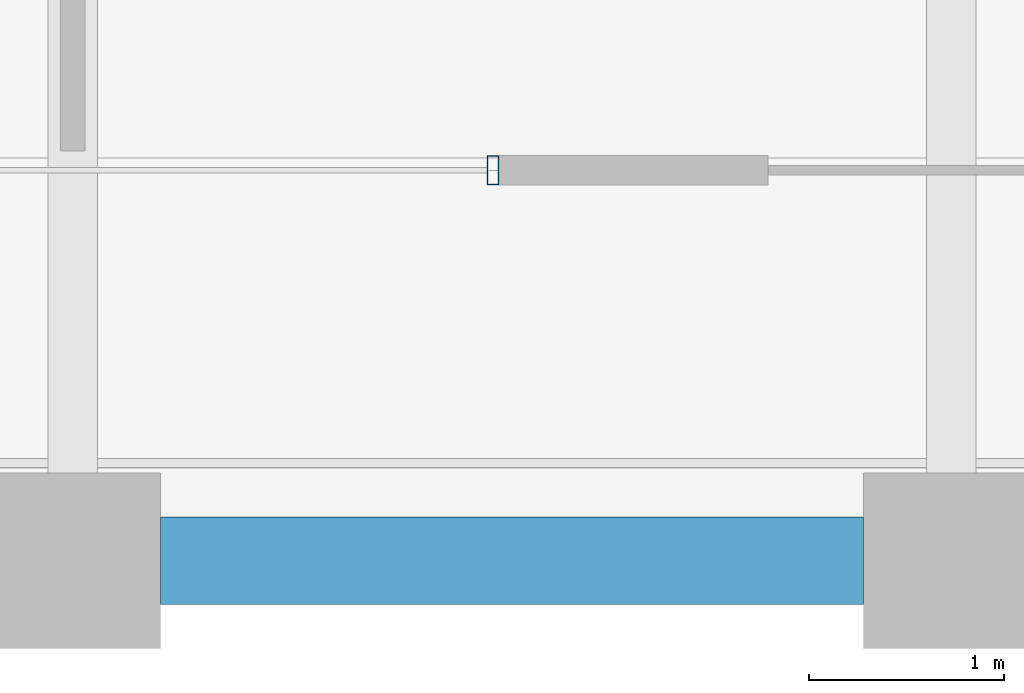
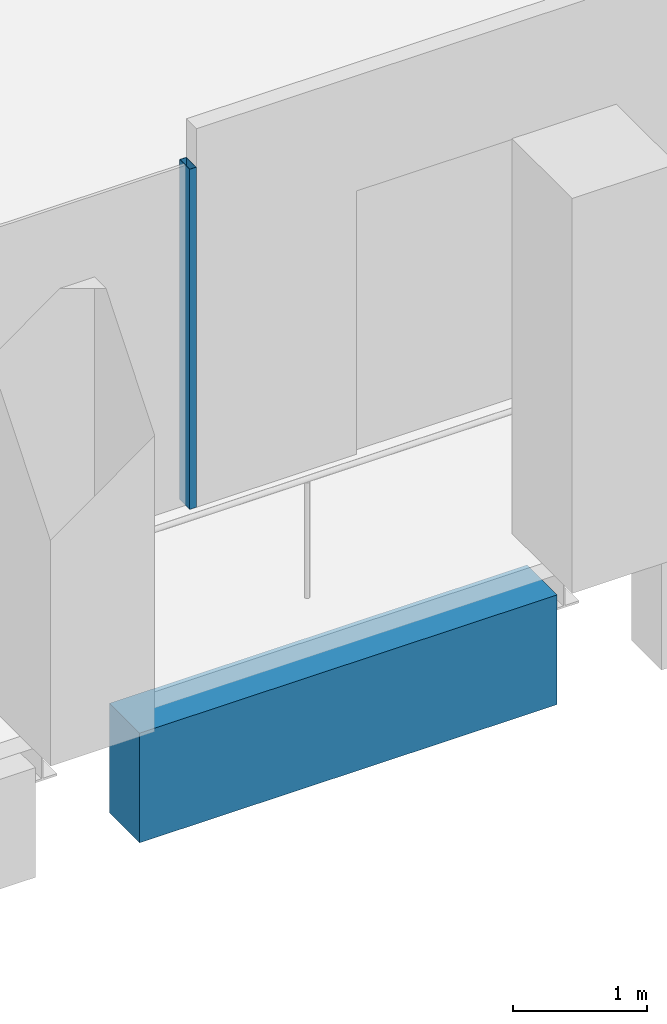
# One storey, part 7 of 40: 1 beam, 1 member, 1 element without a shape of its own.
"""IFC4 building model written with IfcOpenShell, lengths in metres."""

from ifc_helpers import new_model, si_unit, direction, frame, origin, origin_2d, place, context, subcontext, project, spatial, rectangle, hollow_rectangle, extrude, material, material_profile, profile_set, type_object, element, aggregate, save


model = new_model("IFC4")

# Units and contexts
model_context = context("Model", 3, precision=1e-05, world=origin(), true_north=direction((0.0, 1.0)))
body_context = subcontext(model_context, "Body", "Model", "MODEL_VIEW")
ifc_project = project(units=[si_unit("LENGTHUNIT", "METRE"), si_unit("AREAUNIT", "SQUARE_METRE"), si_unit("VOLUMEUNIT", "CUBIC_METRE"), si_unit("PLANEANGLEUNIT", "RADIAN"), si_unit("MASSUNIT", "GRAM", prefix="KILO")], contexts=[model_context])

# Site, building, storey
site_placement = place(None, origin())
site = spatial("IfcSite", under=ifc_project, at=site_placement, CompositionType="ELEMENT")
building_placement = place(site_placement, origin())
building = spatial("IfcBuilding", under=site, at=building_placement, Name="Altepetl Exchange Towers", CompositionType="ELEMENT")
storey_placement = place(building_placement, frame((0.0, 0.0, 147.39990234375)))
storey = spatial("IfcBuildingStorey", under=building, at=storey_placement, Name="L36", CompositionType="ELEMENT", Elevation=147.39990234375)

# Curtain wall, member
ifc_material_1 = material(Name="Aluminium 6063-T6 glazing", Category="aluminium")
curtain_wall_type = type_object("IfcCurtainWallType", Name="Loggia glazing system", PredefinedType="NOTDEFINED", material=ifc_material_1)
curtain_wall_placement = place(storey_placement, origin())
curtain_wall = element("IfcCurtainWall", 1, at=curtain_wall_placement, inside=storey, type_object=curtain_wall_type, Name="CW1 run", PredefinedType="NOTDEFINED")
ifc_material_2 = material(Name="Aluminium 6063-T6", Category="aluminium")
ifc_material_profile_1 = material_profile(ifc_material_2, hollow_rectangle(XDim=0.06005859375, YDim=0.14990234375, WallThickness=0.0029296875, at=origin_2d()), Name="Mullion 60x150 aluminium")
ifc_profile_set_1 = profile_set([ifc_material_profile_1], Name="Aluminium 6063-T6")
member_type = type_object("IfcMemberType", Name="Mullion 60x150 aluminium", PredefinedType="MULLION", material=ifc_profile_set_1)
member_placement = place(storey_placement, frame((47.152099609375, 29.0, 0.0)))
member = element("IfcMember", 2, at=member_placement, type_object=member_type, Name="MU1 mullion", PredefinedType="MULLION", context=body_context, shape_type="SweptSolid", body=[
    extrude(hollow_rectangle(XDim=0.06005859375, YDim=0.14990234375, WallThickness=0.0029296875, at=origin_2d()), origin(), (0.0, 0.0, 1.0), 3.10009765625),
])
aggregate(curtain_wall, [member])

# Beam
ifc_material_3 = material(Name="Concrete C50/60 precast with cantera blanca facing", Category="concrete")
ifc_material_profile_2 = material_profile(ifc_material_3, rectangle(XDim=0.449951171875, YDim=1.0, at=origin_2d()), Name="450 x 1000")
ifc_profile_set_2 = profile_set([ifc_material_profile_2], Name="Concrete C50/60 precast with cantera blanca facing")
beam_type = type_object("IfcBeamType", Name="Spandrel beam 450x1000 cantera blanca", PredefinedType="SPANDREL", material=ifc_profile_set_2)
beam_placement = place(storey_placement, frame((45.449951171875, 27.0, -0.64990234375), z_axis=(1.0, 0.0, 0.0), x_axis=(0.0, 1.0, 0.0)))
element("IfcBeam", 3, at=beam_placement, inside=storey, type_object=beam_type, Name="sp:A:L36:003", PredefinedType="SPANDREL", context=body_context, shape_type="SweptSolid", body=[
    extrude(rectangle(XDim=0.449951171875, YDim=1.0, at=origin_2d()), origin(), (0.0, 0.0, 1.0), 3.60009765625),
])

save(model, "model.ifc")
